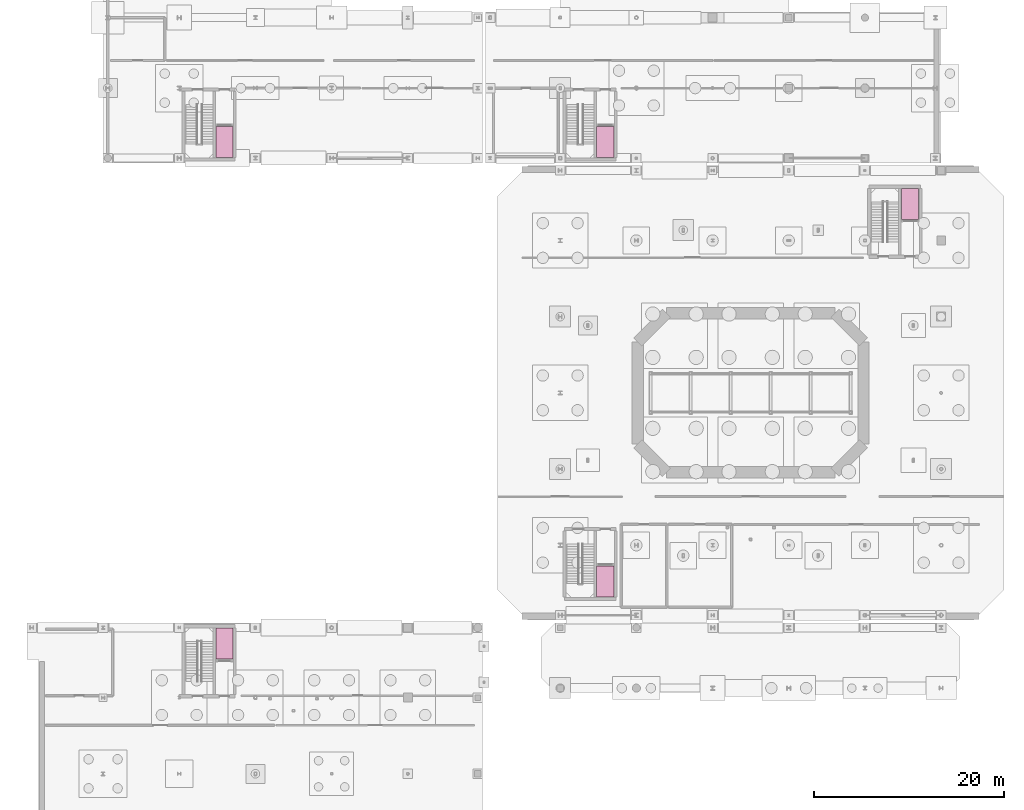
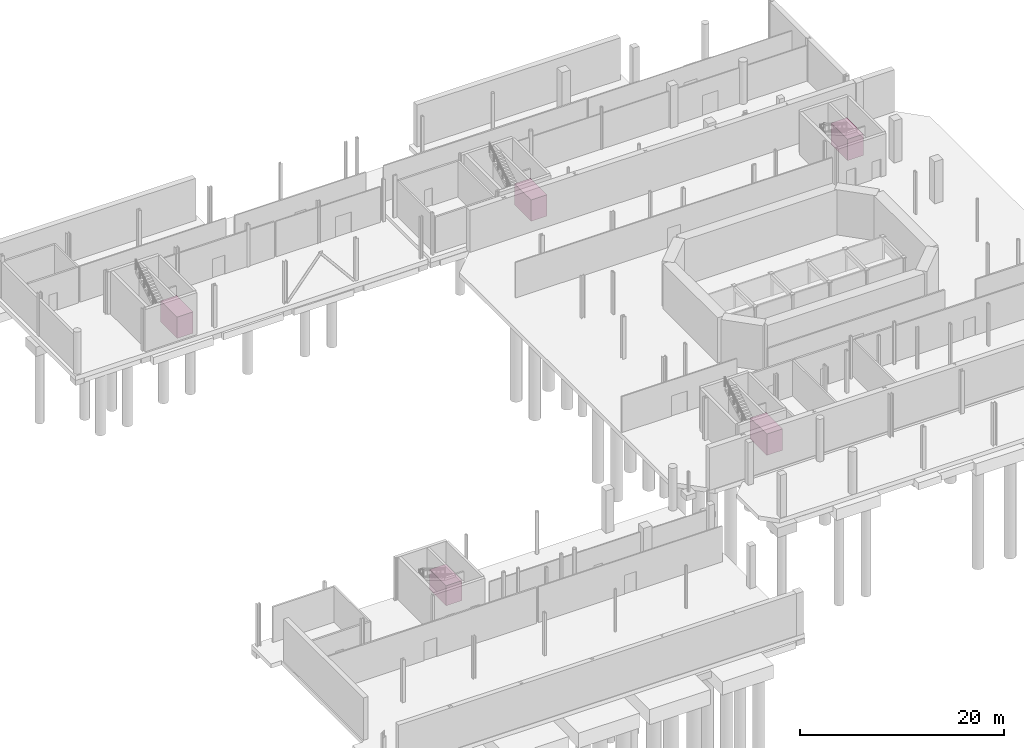
# One storey, part 33 of 33: 5 transport elements.
"""IFC4 building model written with IfcOpenShell, lengths in metres."""

from ifc_helpers import new_model, si_unit, direction, frame, origin, origin_2d, place, context, subcontext, project, spatial, rectangle, extrude, material, type_object, element, save


model = new_model("IFC4")

# Units and contexts
model_context = context("Model", 3, precision=1e-05, world=origin(), true_north=direction((0.0, 1.0)))
body_context = subcontext(model_context, "Body", "Model", "MODEL_VIEW")
ifc_project = project(units=[si_unit("LENGTHUNIT", "METRE"), si_unit("AREAUNIT", "SQUARE_METRE"), si_unit("VOLUMEUNIT", "CUBIC_METRE"), si_unit("PLANEANGLEUNIT", "RADIAN"), si_unit("MASSUNIT", "GRAM", prefix="KILO")], contexts=[model_context])

# Site, building, storey
site_placement = place(None, origin())
site = spatial("IfcSite", under=ifc_project, at=site_placement, CompositionType="ELEMENT")
building_placement = place(site_placement, origin())
building = spatial("IfcBuilding", under=site, at=building_placement, Name="Brisemont Oceanarium", CompositionType="ELEMENT")
storey_placement = place(building_placement, frame((0.0, 0.0, -5.39990234375)))
storey = spatial("IfcBuildingStorey", under=building, at=storey_placement, Name="B01", CompositionType="ELEMENT", Elevation=-5.39990234375)

# Transport elements
ifc_material_1 = material(Name="Duplex Stainless Steel EN 1.4462", Category="steel")
transport_element_type_1 = type_object("IfcTransportElementType", Name="LFT-GDS-3500", PredefinedType="ELEVATOR", material=ifc_material_1)
for number, where, z_axis, x_axis, name in (
    (1, (68.735107421875, 36.18994140625, 0.0), (0.0, 0.0, 1.0), (1.0, 0.0, 0.0), "Elevator LF-01 (C1)"),
    (2, (100.735107421875, 75.81005859375, 0.0), (0.0, 0.0, 1.0), (1.0, 0.0, 0.0), "Elevator LF-02 (C2)"),
    (3, (68.735107421875, 82.340087890625, 0.0), (0.0, 0.0, 1.0), (1.0, 0.0, 0.0), "Elevator L-08 (C8)"),
    (4, (28.735107421875, 82.340087890625, 0.0), (0.0, 0.0, 1.0), (1.0, 0.0, 0.0), "Elevator L-09 (C9)"),
):
    element("IfcTransportElement", number, at=place(storey_placement, frame(where, z_axis=z_axis, x_axis=x_axis)), inside=storey, type_object=transport_element_type_1, Name=name, PredefinedType="ELEVATOR", context=body_context, shape_type="SweptSolid", body=[
        extrude(rectangle(XDim=1.800048828125, YDim=3.25, at=origin_2d()), origin(), (0.0, 0.0, 1.0), 2.550048828125),
    ])
ifc_material_2 = material(Name="Duplex Stainless Steel EN 1.4462", Category="steel")
transport_element_type_2 = type_object("IfcTransportElementType", Name="LFT-PAX-1800", PredefinedType="ELEVATOR", material=ifc_material_2)
transport_element_placement = place(storey_placement, frame((28.735107421875, 29.659912109375, 0.0), z_axis=(0.0, 0.0, 1.0), x_axis=(1.0, 0.0, 0.0)))
element("IfcTransportElement", 5, at=transport_element_placement, inside=storey, type_object=transport_element_type_2, Name="Elevator LF-03 (C3)", PredefinedType="ELEVATOR", context=body_context, shape_type="SweptSolid", body=[
    extrude(rectangle(XDim=1.800048828125, YDim=3.25, at=origin_2d()), origin(), (0.0, 0.0, 1.0), 2.39990234375),
])

save(model, "model.ifc")
